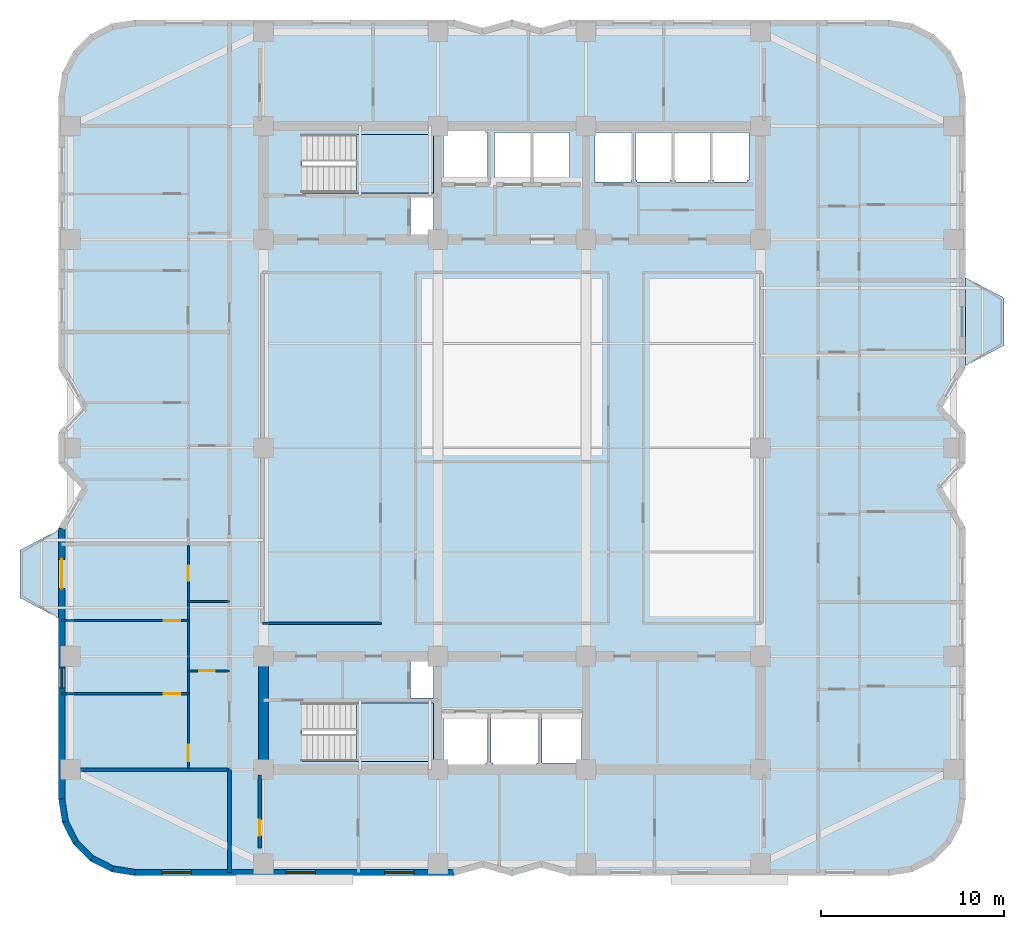
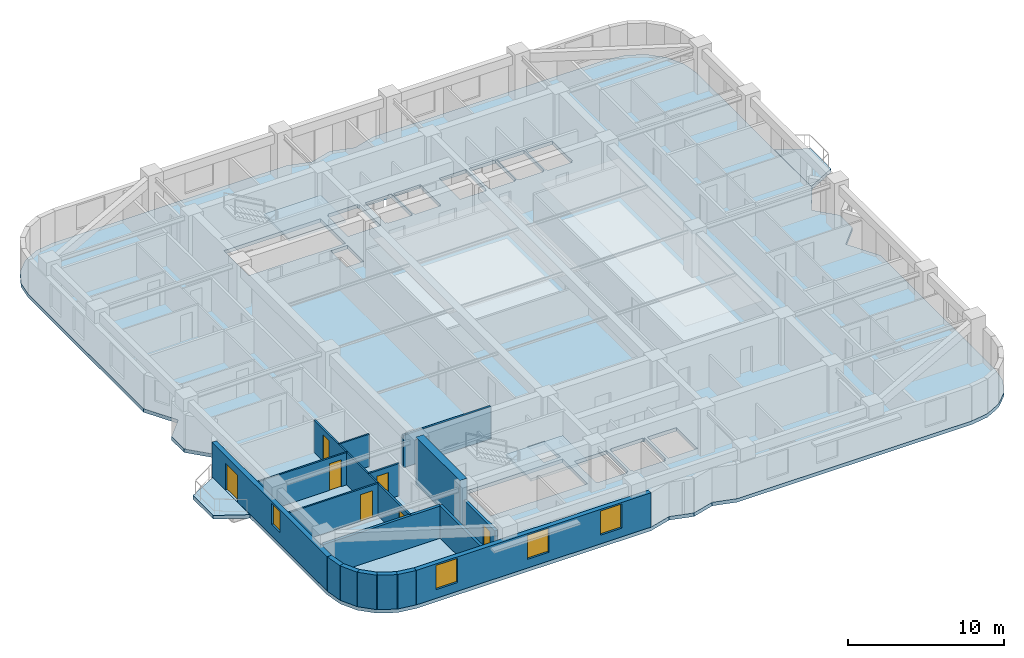
# One storey, part 2 of 11: 17 walls, 7 doors, 5 slabs, 4 windows, 11 openings, 2 elements without a shape of their own.
"""IFC4 building model written with IfcOpenShell, lengths in metres."""

from ifc_helpers import new_model, si_unit, direction, frame, frame_2d, origin, place, context, subcontext, project, spatial, polyline, rectangle, outline, extrude, material, layer, layer_set, type_object, element, fill, aggregate, save


model = new_model("IFC4")

# Units and contexts
model_context = context("Model", 3, precision=1e-05, world=origin(), true_north=direction((0.0, 1.0)))
body_context = subcontext(model_context, "Body", "Model", "MODEL_VIEW")
ifc_project = project(units=[si_unit("LENGTHUNIT", "METRE"), si_unit("AREAUNIT", "SQUARE_METRE"), si_unit("VOLUMEUNIT", "CUBIC_METRE"), si_unit("PLANEANGLEUNIT", "RADIAN"), si_unit("MASSUNIT", "GRAM", prefix="KILO")], contexts=[model_context])

# Site, building, storey
site_placement = place(None, origin())
site = spatial("IfcSite", under=ifc_project, at=site_placement, CompositionType="ELEMENT")
building_placement = place(site_placement, origin())
building = spatial("IfcBuilding", under=site, at=building_placement, Name="Svetorya Sky Lyceum", CompositionType="ELEMENT")
storey_placement = place(building_placement, frame((0.0, 0.0, 106.800048828125)))
storey = spatial("IfcBuildingStorey", under=building, at=storey_placement, Name="L26", CompositionType="ELEMENT", Elevation=106.800048828125)

# Slabs
ifc_material_1 = material(Name="Concrete C40/50", Category="concrete")
ifc_layer_1 = layer(ifc_material_1, 0.280029296875)
ifc_layer_set_1 = layer_set([ifc_layer_1], Name="Concrete C40/50")
slab_type_1 = type_object("IfcSlabType", Name="SL-BAL-280", PredefinedType="FLOOR", material=ifc_layer_set_1)
slab_1_placement = place(storey_placement, frame((0.0, 0.0, -0.280029296875)))
element("IfcSlab", 1, at=slab_1_placement, inside=storey, type_object=slab_type_1, Name="L26 Chamfered Loggia Balcony BAL-W1", PredefinedType="FLOOR", context=body_context, shape_type="SweptSolid", body=[
    extrude(outline(polyline([(14.389892578125, 18.89990234375), (14.389892578125, 23.699951171875), (12.2900390625, 22.60009765625), (12.2900390625, 20.0), (14.389892578125, 18.89990234375)])), origin(), (0.0, 0.0, 1.0), 0.280029296875),
])
slab_2_placement = place(storey_placement, frame((0.0, 0.0, -0.280029296875)))
element("IfcSlab", 2, at=slab_2_placement, inside=storey, type_object=slab_type_1, Name="L26 Chamfered Loggia Balcony BAL-E1", PredefinedType="FLOOR", context=body_context, shape_type="SweptSolid", body=[
    extrude(outline(polyline([(64.010009765625, 32.699951171875), (66.110107421875, 33.800048828125), (66.110107421875, 36.39990234375), (64.010009765625, 37.5), (64.010009765625, 32.699951171875)])), origin(), (0.0, 0.0, 1.0), 0.280029296875),
])

# Stair, slab
stair_type_1 = type_object("IfcStairType", Name="STR-ST-S", PredefinedType="HALF_TURN_STAIR", material=ifc_material_1)
stair_1_placement = place(storey_placement, origin())
stair_1 = element("IfcStair", 3, at=stair_1_placement, inside=storey, type_object=stair_type_1, Name="L26 South Core Smoke-Free Exit Stair N2", PredefinedType="HALF_TURN_STAIR")
ifc_layer_2 = layer(ifc_material_1, 0.199951171875)
ifc_layer_set_2 = layer_set([ifc_layer_2], Name="Concrete C40/50")
slab_type_2 = type_object("IfcSlabType", Name="SL-STR-LAND-200", PredefinedType="LANDING", material=ifc_layer_set_2)
slab_3_placement = place(storey_placement, frame((0.0, 0.0, 1.64990234375)))
slab_3 = element("IfcSlab", 4, at=slab_3_placement, type_object=slab_type_2, Name="ST-S landing 1", PredefinedType="LANDING", context=body_context, shape_type="SweptSolid", body=[
    extrude(outline(polyline([(30.699951171875, 11.050048828125), (34.89990234375, 11.050048828125), (34.89990234375, 14.25), (30.699951171875, 14.25), (30.699951171875, 11.050048828125)])), origin(), (0.0, 0.0, 1.0), 0.199951171875),
])
aggregate(stair_1, [slab_3])

stair_type_2 = type_object("IfcStairType", Name="STR-ST-N", PredefinedType="HALF_TURN_STAIR", material=ifc_material_1)
stair_2_placement = place(storey_placement, origin())
stair_2 = element("IfcStair", 5, at=stair_2_placement, inside=storey, type_object=stair_type_2, Name="L26 North Core Smoke-Free Exit Stair N3", PredefinedType="HALF_TURN_STAIR")
slab_4_placement = place(storey_placement, frame((0.0, 0.0, 1.64990234375)))
slab_4 = element("IfcSlab", 6, at=slab_4_placement, type_object=slab_type_2, Name="ST-N landing 1", PredefinedType="LANDING", context=body_context, shape_type="SweptSolid", body=[
    extrude(outline(polyline([(30.699951171875, 42.14990234375), (34.89990234375, 42.14990234375), (34.89990234375, 45.35009765625), (30.699951171875, 45.35009765625), (30.699951171875, 42.14990234375)])), origin(), (0.0, 0.0, 1.0), 0.199951171875),
])
aggregate(stair_2, [slab_4])

# Slab
ifc_material_2 = material(Name="Concrete C50/60", Category="concrete")
ifc_layer_3 = layer(ifc_material_2, 0.280029296875)
ifc_layer_set_3 = layer_set([ifc_layer_3], Name="Concrete C50/60")
slab_type_3 = type_object("IfcSlabType", Name="SL-TWR-280", PredefinedType="FLOOR", material=ifc_layer_set_3)
slab_5_placement = place(storey_placement, frame((0.0, 0.0, -0.280029296875)))
element("IfcSlab", 7, at=slab_5_placement, inside=storey, type_object=slab_type_3, Name="L26 Structural Floor Slab", PredefinedType="FLOOR", context=body_context, shape_type="SweptSolid", body=[
    extrude(outline(polyline([(14.39990234375, 9.0), (14.605712890625, 7.7021484375), (15.2021484375, 6.53125), (16.13134765625, 5.60205078125), (17.302001953125, 5.005615234375), (18.60009765625, 4.800048828125), (36.0, 4.800048828125), (37.60009765625, 5.25), (39.199951171875, 4.800048828125), (40.800048828125, 5.25), (42.39990234375, 4.800048828125), (59.800048828125, 4.800048828125), (61.097900390625, 5.005615234375), (62.268798828125, 5.60205078125), (63.197998046875, 6.53125), (63.79443359375, 7.7021484375), (64.0, 9.0), (64.0, 23.800048828125), (62.699951171875, 26.0), (64.0, 27.39990234375), (64.0, 29.0), (62.699951171875, 30.39990234375), (64.0, 32.60009765625), (64.0, 47.39990234375), (63.79443359375, 48.697998046875), (63.197998046875, 49.86865234375), (62.268798828125, 50.7978515625), (61.097900390625, 51.394287109375), (59.800048828125, 51.60009765625), (42.39990234375, 51.60009765625), (40.800048828125, 51.14990234375), (39.199951171875, 51.60009765625), (37.60009765625, 51.14990234375), (36.0, 51.60009765625), (18.60009765625, 51.60009765625), (17.302001953125, 51.394287109375), (16.13134765625, 50.7978515625), (15.2021484375, 49.86865234375), (14.605712890625, 48.697998046875), (14.39990234375, 47.39990234375), (14.39990234375, 32.60009765625), (15.699951171875, 30.39990234375), (14.39990234375, 29.0), (14.39990234375, 27.39990234375), (15.699951171875, 26.0), (14.39990234375, 23.800048828125), (14.39990234375, 9.0)]), holes=[polyline([(37.85009765625, 10.949951171875), (37.75, 10.949951171875), (37.75, 10.85009765625), (35.550048828125, 10.85009765625), (35.550048828125, 10.949951171875), (35.449951171875, 10.949951171875), (35.449951171875, 13.64990234375), (35.550048828125, 13.64990234375), (37.75, 13.64990234375), (37.85009765625, 13.64990234375), (37.85009765625, 10.949951171875)]), polyline([(40.64990234375, 13.64990234375), (40.64990234375, 10.949951171875), (40.550048828125, 10.949951171875), (40.550048828125, 10.800048828125), (38.14990234375, 10.800048828125), (38.14990234375, 10.949951171875), (38.050048828125, 10.949951171875), (38.050048828125, 13.64990234375), (38.14990234375, 13.64990234375), (38.14990234375, 13.699951171875), (40.550048828125, 13.699951171875), (40.550048828125, 13.64990234375), (40.64990234375, 13.64990234375)]), polyline([(27.719970703125, 14.25), (34.89990234375, 14.25), (34.89990234375, 11.050048828125), (27.719970703125, 11.050048828125), (27.719970703125, 14.25)]), polyline([(33.64990234375, 14.52001953125), (33.64990234375, 16.580078125), (34.89990234375, 16.580078125), (34.89990234375, 14.52001953125), (33.64990234375, 14.52001953125)]), polyline([(33.64990234375, 41.89990234375), (34.89990234375, 41.89990234375), (34.89990234375, 39.820068359375), (33.64990234375, 39.820068359375), (33.64990234375, 41.89990234375)]), polyline([(27.719970703125, 45.35009765625), (34.89990234375, 45.35009765625), (34.89990234375, 42.14990234375), (27.719970703125, 42.14990234375), (27.719970703125, 45.35009765625)]), polyline([(37.75, 45.550048828125), (37.75, 45.449951171875), (37.85009765625, 45.449951171875), (37.85009765625, 42.75), (37.75, 42.75), (35.550048828125, 42.75), (35.449951171875, 42.75), (35.449951171875, 45.449951171875), (35.550048828125, 45.449951171875), (35.550048828125, 45.550048828125), (37.75, 45.550048828125)]), polyline([(38.39990234375, 42.85009765625), (38.25, 42.85009765625), (38.25, 45.449951171875), (38.39990234375, 45.449951171875), (40.199951171875, 45.449951171875), (40.25, 45.449951171875), (40.25, 42.85009765625), (40.199951171875, 42.85009765625), (40.199951171875, 42.75), (38.39990234375, 42.75), (38.39990234375, 42.85009765625)]), polyline([(40.85009765625, 13.64990234375), (43.0, 13.64990234375), (43.0, 10.949951171875), (40.85009765625, 10.949951171875), (40.85009765625, 13.64990234375)]), polyline([(40.39990234375, 42.85009765625), (40.35009765625, 42.85009765625), (40.35009765625, 45.449951171875), (40.39990234375, 45.449951171875), (42.300048828125, 45.449951171875), (42.35009765625, 45.449951171875), (42.35009765625, 42.85009765625), (42.300048828125, 42.85009765625), (42.300048828125, 42.75), (40.39990234375, 42.75), (40.39990234375, 42.85009765625)]), polyline([(43.75, 42.75), (43.75, 42.85009765625), (43.75, 45.449951171875), (45.699951171875, 45.449951171875), (45.75, 45.449951171875), (45.75, 42.85009765625), (45.699951171875, 42.85009765625), (45.699951171875, 42.75), (43.75, 42.75)]), polyline([(46.050048828125, 42.85009765625), (45.949951171875, 42.85009765625), (45.949951171875, 45.449951171875), (46.050048828125, 45.449951171875), (47.85009765625, 45.449951171875), (47.949951171875, 45.449951171875), (47.949951171875, 42.85009765625), (47.85009765625, 42.85009765625), (47.85009765625, 42.75), (46.050048828125, 42.75), (46.050048828125, 42.85009765625)]), polyline([(48.14990234375, 42.85009765625), (48.050048828125, 42.85009765625), (48.050048828125, 45.449951171875), (48.14990234375, 45.449951171875), (49.949951171875, 45.449951171875), (50.050048828125, 45.449951171875), (50.050048828125, 42.85009765625), (49.949951171875, 42.85009765625), (49.949951171875, 42.75), (48.14990234375, 42.75), (48.14990234375, 42.85009765625)]), polyline([(52.14990234375, 42.85009765625), (52.050048828125, 42.85009765625), (52.050048828125, 42.75), (50.25, 42.75), (50.25, 42.85009765625), (50.14990234375, 42.85009765625), (50.14990234375, 45.449951171875), (50.25, 45.449951171875), (52.050048828125, 45.449951171875), (52.14990234375, 45.449951171875), (52.14990234375, 42.85009765625)])]), origin(), (0.0, 0.0, 1.0), 0.280029296875),
])

# Walls
ifc_material_3 = material(Name="Concrete C60/75", Category="concrete")
ifc_layer_4 = layer(ifc_material_3, 0.550048828125)
ifc_layer_set_4 = layer_set([ifc_layer_4], Name="Concrete C60/75")
wall_type_1 = type_object("IfcWallType", Name="WL-CORE-550", PredefinedType="SHEAR", material=ifc_layer_set_4)
wall_1_placement = place(storey_placement, frame((25.60009765625, 10.875, 0.0), z_axis=(0.0, 0.0, 1.0), x_axis=(0.0, 1.0, 0.0)))
element("IfcWall", 8, at=wall_1_placement, inside=storey, type_object=wall_type_1, Name="L26 SC West Core Shear Wall", PredefinedType="SHEAR", context=body_context, shape_type="SweptSolid", body=[
    extrude(rectangle(XDim=5.64990234375, YDim=0.550048828125, at=frame_2d((2.824951171875, 0.0))), origin(), (0.0, 0.0, 1.0), 3.699951171875),
])
ifc_material_4 = material(Name="Putilovo limestone rainscreen on autoclaved cellular masonry", Category="masonry")
ifc_layer_5 = layer(ifc_material_4, 0.340087890625)
ifc_layer_set_5 = layer_set([ifc_layer_5], Name="Putilovo limestone rainscreen on autoclaved cellular masonry")
wall_type_2 = type_object("IfcWallType", Name="WL-EXT-340", PredefinedType="SOLIDWALL", material=ifc_layer_set_5)
wall_2_placement = place(storey_placement, frame((14.570068359375, 9.0, 0.0), z_axis=(0.0, 0.0, 1.0), x_axis=(0.156260864002, -0.98771582066, 0.0)))
element("IfcWall", 9, at=wall_2_placement, inside=storey, type_object=wall_type_2, Name="L26 Limestone Exterior Wall 1M", PredefinedType="SOLIDWALL", context=body_context, shape_type="SweptSolid", body=[
    extrude(rectangle(XDim=1.2607421875, YDim=0.340087890625, at=frame_2d((0.63037109375, 0.0))), origin(), (0.0, 0.0, 1.0), 2.699951171875),
])
wall_3_placement = place(storey_placement, frame((14.76708984375, 7.754638671875, 0.0), z_axis=(0.0, 0.0, 1.0), x_axis=(0.454015689056, -0.890993689142, 0.0)))
element("IfcWall", 10, at=wall_3_placement, inside=storey, type_object=wall_type_2, Name="L26 Limestone Exterior Wall 2M", PredefinedType="SOLIDWALL", context=body_context, shape_type="SweptSolid", body=[
    extrude(rectangle(XDim=1.260986328125, YDim=0.340087890625, at=frame_2d((0.63037109375, 0.0))), origin(), (0.0, 0.0, 1.0), 2.699951171875),
])
wall_4_placement = place(storey_placement, frame((15.339599609375, 6.631103515625, 0.0), z_axis=(0.0, 0.0, 1.0), x_axis=(0.707203598708, -0.707009950407, 0.0)))
element("IfcWall", 11, at=wall_4_placement, inside=storey, type_object=wall_type_2, Name="L26 Limestone Exterior Wall 3M", PredefinedType="SOLIDWALL", context=body_context, shape_type="SweptSolid", body=[
    extrude(rectangle(XDim=1.2607421875, YDim=0.340087890625, at=frame_2d((0.63037109375, 0.0))), origin(), (0.0, 0.0, 1.0), 2.699951171875),
])
for number, where, z_axis, x_axis, name in (
    (12, (16.231201171875, 5.73974609375, 0.0), (0.0, 0.0, 1.0), (0.890993689142, -0.454015689056, 0.0), "L26 Limestone Exterior Wall 4M"),
    (13, (17.354736328125, 5.167236328125, 0.0), (0.0, 0.0, 1.0), (0.987685918112, -0.15644975923, 0.0), "L26 Limestone Exterior Wall 5M"),
):
    element("IfcWall", number, at=place(storey_placement, frame(where, z_axis=z_axis, x_axis=x_axis)), inside=storey, type_object=wall_type_2, Name=name, PredefinedType="SOLIDWALL", context=body_context, shape_type="SweptSolid", body=[
        extrude(rectangle(XDim=1.260986328125, YDim=0.340087890625, at=frame_2d((0.63037109375, 0.0))), origin(), (0.0, 0.0, 1.0), 2.699951171875),
    ])

# Wall, openings, windows
wall_5_placement = place(storey_placement, frame((18.60009765625, 4.969970703125, 0.0), z_axis=(0.0, 0.0, 1.0), x_axis=(1.0, 0.0, 0.0)))
wall_5 = element("IfcWall", 14, at=wall_5_placement, inside=storey, type_object=wall_type_2, Name="L26 Limestone Exterior Wall 6M", PredefinedType="SOLIDWALL", context=body_context, shape_type="SweptSolid", body=[
    extrude(rectangle(XDim=17.39990234375, YDim=0.340087890625, at=frame_2d((8.699951171875, 0.0))), origin(), (0.0, 0.0, 1.0), 2.699951171875),
])
opening_1_placement = place(wall_5_placement, frame((1.4599609375, 0.0, 0.679931640625)))
opening_1 = element("IfcOpeningElement", 15, at=opening_1_placement, cuts=wall_5, Name="Opening W-R4", PredefinedType="OPENING", context=body_context, shape_type="SweptSolid", body=[
    extrude(rectangle(XDim=1.60009765625, YDim=1.89990234375, at=frame_2d((0.800048828125, 0.949951171875))), frame((0.0, 0.179931640625, 0.0), z_axis=(0.0, -1.0, 0.0), x_axis=(1.0, 0.0, 0.0)), (0.0, 0.0, 1.0), 0.360107421875),
])
opening_2_placement = place(wall_5_placement, frame((8.25, 0.0, 0.679931640625)))
opening_2 = element("IfcOpeningElement", 16, at=opening_2_placement, cuts=wall_5, Name="Opening W-R4", PredefinedType="OPENING", context=body_context, shape_type="SweptSolid", body=[
    extrude(rectangle(XDim=1.60009765625, YDim=1.89990234375, at=frame_2d((0.800048828125, 0.949951171875))), frame((0.0, 0.179931640625, 0.0), z_axis=(0.0, -1.0, 0.0), x_axis=(1.0, 0.0, 0.0)), (0.0, 0.0, 1.0), 0.360107421875),
])
opening_3_placement = place(wall_5_placement, frame((13.639892578125, 0.0, 0.679931640625)))
opening_3 = element("IfcOpeningElement", 17, at=opening_3_placement, cuts=wall_5, Name="Opening W-R4", PredefinedType="OPENING", context=body_context, shape_type="SweptSolid", body=[
    extrude(rectangle(XDim=1.60009765625, YDim=1.89990234375, at=frame_2d((0.800048828125, 0.949951171875))), frame((0.0, 0.179931640625, 0.0), z_axis=(0.0, -1.0, 0.0), x_axis=(1.0, 0.0, 0.0)), (0.0, 0.0, 1.0), 0.360107421875),
])
ifc_material_5 = material(Name="Thermally broken aluminium frame with triple low-E glazing", Category="aluminium")
window_type_1 = type_object("IfcWindowType", Name="WN-RES-160", PartitioningType="DOUBLE_PANEL_VERTICAL", PredefinedType="WINDOW", material=ifc_material_5)
window_1_placement = place(opening_1_placement, origin())
window_1 = element("IfcWindow", 18, at=window_1_placement, inside=storey, type_object=window_type_1, Name="L26 Facade Window W-R4.6M.1", OverallHeight=1.89990234375, OverallWidth=1.60009765625, PartitioningType="SINGLE_PANEL", PredefinedType="WINDOW", context=body_context, shape_type="SweptSolid", body=[
    extrude(rectangle(XDim=1.60009765625, YDim=1.89990234375, at=frame_2d((0.800048828125, 0.949951171875))), frame((0.0, 0.030029296875, 0.0), z_axis=(0.0, -1.0, 0.0), x_axis=(1.0, 0.0, 0.0)), (0.0, 0.0, 1.0), 0.06005859375),
])
fill(opening_1, window_1)
window_2_placement = place(opening_2_placement, origin())
window_2 = element("IfcWindow", 19, at=window_2_placement, inside=storey, type_object=window_type_1, Name="L26 Facade Window W-R4.6M.2", OverallHeight=1.89990234375, OverallWidth=1.60009765625, PartitioningType="SINGLE_PANEL", PredefinedType="WINDOW", context=body_context, shape_type="SweptSolid", body=[
    extrude(rectangle(XDim=1.60009765625, YDim=1.89990234375, at=frame_2d((0.800048828125, 0.949951171875))), frame((0.0, 0.030029296875, 0.0), z_axis=(0.0, -1.0, 0.0), x_axis=(1.0, 0.0, 0.0)), (0.0, 0.0, 1.0), 0.06005859375),
])
fill(opening_2, window_2)
window_3_placement = place(opening_3_placement, origin())
window_3 = element("IfcWindow", 20, at=window_3_placement, inside=storey, type_object=window_type_1, Name="L26 Facade Window W-R4.6M.3", OverallHeight=1.89990234375, OverallWidth=1.60009765625, PartitioningType="SINGLE_PANEL", PredefinedType="WINDOW", context=body_context, shape_type="SweptSolid", body=[
    extrude(rectangle(XDim=1.60009765625, YDim=1.89990234375, at=frame_2d((0.800048828125, 0.949951171875))), frame((0.0, 0.030029296875, 0.0), z_axis=(0.0, -1.0, 0.0), x_axis=(1.0, 0.0, 0.0)), (0.0, 0.0, 1.0), 0.06005859375),
])
fill(opening_3, window_3)

# Wall, openings, door, window
wall_6_placement = place(storey_placement, frame((14.570068359375, 23.800048828125, 0.0), z_axis=(0.0, 0.0, 1.0), x_axis=(0.0, -1.0, 0.0)))
wall_6 = element("IfcWall", 21, at=wall_6_placement, inside=storey, type_object=wall_type_2, Name="L26 Limestone Exterior Wall 46M", PredefinedType="SOLIDWALL", context=body_context, shape_type="SweptSolid", body=[
    extrude(rectangle(XDim=14.800048828125, YDim=0.340087890625, at=frame_2d((7.39990234375, 0.0))), origin(), (0.0, 0.0, 1.0), 2.699951171875),
])
opening_4_placement = place(wall_6_placement, frame((1.699951171875, 0.0, 0.0)))
opening_4 = element("IfcOpeningElement", 22, at=opening_4_placement, cuts=wall_6, Name="Opening D-BL1", PredefinedType="OPENING", context=body_context, shape_type="SweptSolid", body=[
    extrude(rectangle(XDim=1.60009765625, YDim=2.10009765625, at=frame_2d((0.800048828125, 1.050048828125))), frame((0.0, 0.179931640625, 0.0), z_axis=(0.0, -1.0, 0.0), x_axis=(1.0, 0.0, 0.0)), (0.0, 0.0, 1.0), 0.360107421875),
])
opening_5_placement = place(wall_6_placement, frame((7.639892578125, 0.0, 0.889892578125)))
opening_5 = element("IfcOpeningElement", 23, at=opening_5_placement, cuts=wall_6, Name="Opening W-R3", PredefinedType="OPENING", context=body_context, shape_type="SweptSolid", body=[
    extrude(rectangle(XDim=1.10009765625, YDim=1.64990234375, at=frame_2d((0.550048828125, 0.824951171875))), frame((0.0, 0.179931640625, 0.0), z_axis=(0.0, -1.0, 0.0), x_axis=(1.0, 0.0, 0.0)), (0.0, 0.0, 1.0), 0.360107421875),
])
ifc_material_6 = material(Name="Insulated glazed aluminium balcony door", Category="aluminium")
door_type_1 = type_object("IfcDoorType", Name="DR-BAL-1600", OperationType="DOUBLE_DOOR_SINGLE_SWING", PredefinedType="DOOR", material=ifc_material_6)
door_1_placement = place(opening_4_placement, origin())
door_1 = element("IfcDoor", 24, at=door_1_placement, inside=storey, type_object=door_type_1, Name="L26 Balcony BAL-W1 Door", OperationType="DOUBLE_DOOR_SINGLE_SWING", OverallHeight=2.10009765625, OverallWidth=1.60009765625, PredefinedType="DOOR", context=body_context, shape_type="SweptSolid", body=[
    extrude(rectangle(XDim=1.60009765625, YDim=2.10009765625, at=frame_2d((0.800048828125, 1.050048828125))), frame((0.0, 0.02490234375, 0.0), z_axis=(0.0, -1.0, 0.0), x_axis=(1.0, 0.0, 0.0)), (0.0, 0.0, 1.0), 0.050048828125),
])
fill(opening_4, door_1)
window_type_2 = type_object("IfcWindowType", Name="WN-RES-110", PartitioningType="SINGLE_PANEL", PredefinedType="WINDOW", material=ifc_material_5)
window_4_placement = place(opening_5_placement, origin())
window_4 = element("IfcWindow", 25, at=window_4_placement, inside=storey, type_object=window_type_2, Name="L26 Facade Window W-R3.46M.1", OverallHeight=1.64990234375, OverallWidth=1.10009765625, PartitioningType="SINGLE_PANEL", PredefinedType="WINDOW", context=body_context, shape_type="SweptSolid", body=[
    extrude(rectangle(XDim=1.10009765625, YDim=1.64990234375, at=frame_2d((0.550048828125, 0.824951171875))), frame((0.0, 0.030029296875, 0.0), z_axis=(0.0, -1.0, 0.0), x_axis=(1.0, 0.0, 0.0)), (0.0, 0.0, 1.0), 0.06005859375),
])
fill(opening_5, window_4)

# Wall, opening, door
ifc_material_7 = material(Name="Twin-stud galvanized framing with double fireboard", Category="gypsum")
ifc_layer_6 = layer(ifc_material_7, 0.1201171875)
ifc_layer_set_6 = layer_set([ifc_layer_6], Name="Twin-stud galvanized framing with double fireboard")
wall_type_3 = type_object("IfcWallType", Name="WL-PART-120", PredefinedType="PARTITIONING", material=ifc_layer_set_6)
wall_7_placement = place(storey_placement, frame((21.5, 16.0, 0.0), z_axis=(0.0, 0.0, 1.0), x_axis=(1.0, 0.0, 0.0)))
wall_7 = element("IfcWall", 26, at=wall_7_placement, inside=storey, type_object=wall_type_3, Name="L26 Interior Partition W1-WH1", PredefinedType="PARTITIONING", context=body_context, shape_type="SweptSolid", body=[
    extrude(rectangle(XDim=2.25, YDim=0.1201171875, at=frame_2d((1.125, 0.0))), origin(), (0.0, 0.0, 1.0), 2.530029296875),
])
opening_6_placement = place(wall_7_placement, frame((0.60009765625, 0.0, 0.0)))
opening_6 = element("IfcOpeningElement", 27, at=opening_6_placement, cuts=wall_7, Name="Opening D-BT1", PredefinedType="OPENING", context=body_context, shape_type="SweptSolid", body=[
    extrude(rectangle(XDim=0.85009765625, YDim=2.10009765625, at=frame_2d((0.425048828125, 1.050048828125))), frame((0.0, 0.070068359375, 0.0), z_axis=(0.0, -1.0, 0.0), x_axis=(1.0, 0.0, 0.0)), (0.0, 0.0, 1.0), 0.14013671875),
])
ifc_material_8 = material(Name="Moisture-resistant laminate bathroom door")
door_type_2 = type_object("IfcDoorType", Name="DR-WET-850", OperationType="SINGLE_SWING_LEFT", PredefinedType="DOOR", material=ifc_material_8)
door_2_placement = place(opening_6_placement, origin())
door_2 = element("IfcDoor", 28, at=door_2_placement, inside=storey, type_object=door_type_2, Name="Apartment W1 Bathroom Door", OperationType="SINGLE_SWING_LEFT", OverallHeight=2.10009765625, OverallWidth=0.85009765625, PredefinedType="DOOR", context=body_context, shape_type="SweptSolid", body=[
    extrude(rectangle(XDim=0.85009765625, YDim=2.10009765625, at=frame_2d((0.425048828125, 1.050048828125))), frame((0.0, 0.02490234375, 0.0), z_axis=(0.0, -1.0, 0.0), x_axis=(1.0, 0.0, 0.0)), (0.0, 0.0, 1.0), 0.050048828125),
])
fill(opening_6, door_2)

# Wall
wall_8_placement = place(storey_placement, frame((21.5, 19.800048828125, 0.0), z_axis=(0.0, 0.0, 1.0), x_axis=(1.0, 0.0, 0.0)))
element("IfcWall", 29, at=wall_8_placement, inside=storey, type_object=wall_type_3, Name="L26 Interior Partition W1-WH2", PredefinedType="PARTITIONING", context=body_context, shape_type="SweptSolid", body=[
    extrude(rectangle(XDim=2.25, YDim=0.1201171875, at=frame_2d((1.125, 0.0))), origin(), (0.0, 0.0, 1.0), 2.530029296875),
])

# Wall, opening, door
wall_9_placement = place(storey_placement, frame((14.570068359375, 14.75, 0.0), z_axis=(0.0, 0.0, 1.0), x_axis=(1.0, 0.0, 0.0)))
wall_9 = element("IfcWall", 30, at=wall_9_placement, inside=storey, type_object=wall_type_3, Name="L26 Interior Partition W1-WL1", PredefinedType="PARTITIONING", context=body_context, shape_type="SweptSolid", body=[
    extrude(rectangle(XDim=6.929931640625, YDim=0.1201171875, at=frame_2d((3.46484375, 0.0))), origin(), (0.0, 0.0, 1.0), 2.530029296875),
])
opening_7_placement = place(wall_9_placement, frame((5.580078125, 0.0, 0.0)))
opening_7 = element("IfcOpeningElement", 31, at=opening_7_placement, cuts=wall_9, Name="Opening D-RM1", PredefinedType="OPENING", context=body_context, shape_type="SweptSolid", body=[
    extrude(rectangle(XDim=0.89990234375, YDim=2.10009765625, at=frame_2d((0.449951171875, 1.050048828125))), frame((0.0, 0.070068359375, 0.0), z_axis=(0.0, -1.0, 0.0), x_axis=(1.0, 0.0, 0.0)), (0.0, 0.0, 1.0), 0.14013671875),
])
ifc_material_9 = material(Name="Lacquered birch veneer internal door")
door_type_3 = type_object("IfcDoorType", Name="DR-INT-900", OperationType="SINGLE_SWING_LEFT", PredefinedType="DOOR", material=ifc_material_9)
door_3_placement = place(opening_7_placement, origin())
door_3 = element("IfcDoor", 32, at=door_3_placement, inside=storey, type_object=door_type_3, Name="Apartment W1 Master Bedroom Door", OperationType="SINGLE_SWING_LEFT", OverallHeight=2.10009765625, OverallWidth=0.89990234375, PredefinedType="DOOR", context=body_context, shape_type="SweptSolid", body=[
    extrude(rectangle(XDim=0.89990234375, YDim=2.10009765625, at=frame_2d((0.449951171875, 1.050048828125))), frame((0.0, 0.02490234375, 0.0), z_axis=(0.0, -1.0, 0.0), x_axis=(1.0, 0.0, 0.0)), (0.0, 0.0, 1.0), 0.050048828125),
])
fill(opening_7, door_3)

wall_10_placement = place(storey_placement, frame((14.570068359375, 18.75, 0.0), z_axis=(0.0, 0.0, 1.0), x_axis=(1.0, 0.0, 0.0)))
wall_10 = element("IfcWall", 33, at=wall_10_placement, inside=storey, type_object=wall_type_3, Name="L26 Interior Partition W1-WL2", PredefinedType="PARTITIONING", context=body_context, shape_type="SweptSolid", body=[
    extrude(rectangle(XDim=6.929931640625, YDim=0.1201171875, at=frame_2d((3.46484375, 0.0))), origin(), (0.0, 0.0, 1.0), 2.530029296875),
])
opening_8_placement = place(wall_10_placement, frame((5.580078125, 0.0, 0.0)))
opening_8 = element("IfcOpeningElement", 34, at=opening_8_placement, cuts=wall_10, Name="Opening D-RM1", PredefinedType="OPENING", context=body_context, shape_type="SweptSolid", body=[
    extrude(rectangle(XDim=0.89990234375, YDim=2.10009765625, at=frame_2d((0.449951171875, 1.050048828125))), frame((0.0, 0.070068359375, 0.0), z_axis=(0.0, -1.0, 0.0), x_axis=(1.0, 0.0, 0.0)), (0.0, 0.0, 1.0), 0.14013671875),
])
door_4_placement = place(opening_8_placement, origin())
door_4 = element("IfcDoor", 35, at=door_4_placement, inside=storey, type_object=door_type_3, Name="Apartment W1 Bedroom 2 Door", OperationType="SINGLE_SWING_RIGHT", OverallHeight=2.10009765625, OverallWidth=0.89990234375, PredefinedType="DOOR", context=body_context, shape_type="SweptSolid", body=[
    extrude(rectangle(XDim=0.89990234375, YDim=2.10009765625, at=frame_2d((0.449951171875, 1.050048828125))), frame((0.0, 0.02490234375, 0.0), z_axis=(0.0, -1.0, 0.0), x_axis=(1.0, 0.0, 0.0)), (0.0, 0.0, 1.0), 0.050048828125),
])
fill(opening_8, door_4)

# Wall, openings, doors
wall_11_placement = place(storey_placement, frame((21.5, 10.639892578125, 0.0), z_axis=(0.0, 0.0, 1.0), x_axis=(0.0, 1.0, 0.0)))
wall_11 = element("IfcWall", 36, at=wall_11_placement, inside=storey, type_object=wall_type_3, Name="L26 Interior Partition W1-WV", PredefinedType="PARTITIONING", context=body_context, shape_type="SweptSolid", body=[
    extrude(rectangle(XDim=12.239990234375, YDim=0.1201171875, at=frame_2d((6.1201171875, 0.0))), origin(), (0.0, 0.0, 1.0), 2.530029296875),
])
opening_9_placement = place(wall_11_placement, frame((0.409912109375, 0.0, 0.0)))
opening_9 = element("IfcOpeningElement", 37, at=opening_9_placement, cuts=wall_11, Name="Opening D-RM1", PredefinedType="OPENING", context=body_context, shape_type="SweptSolid", body=[
    extrude(rectangle(XDim=0.89990234375, YDim=2.10009765625, at=frame_2d((0.449951171875, 1.050048828125))), frame((0.0, 0.070068359375, 0.0), z_axis=(0.0, -1.0, 0.0), x_axis=(1.0, 0.0, 0.0)), (0.0, 0.0, 1.0), 0.14013671875),
])
opening_10_placement = place(wall_11_placement, frame((10.294921875, 0.0, 0.0)))
opening_10 = element("IfcOpeningElement", 38, at=opening_10_placement, cuts=wall_11, Name="Opening D-BT2", PredefinedType="OPENING", context=body_context, shape_type="SweptSolid", body=[
    extrude(rectangle(XDim=0.820068359375, YDim=2.080078125, at=frame_2d((0.41015625, 1.0400390625))), frame((0.0, 0.070068359375, 0.0), z_axis=(0.0, -1.0, 0.0), x_axis=(1.0, 0.0, 0.0)), (0.0, 0.0, 1.0), 0.14013671875),
])
door_5_placement = place(opening_9_placement, origin())
door_5 = element("IfcDoor", 39, at=door_5_placement, inside=storey, type_object=door_type_3, Name="Apartment W1 Living Door", OperationType="SINGLE_SWING_RIGHT", OverallHeight=2.10009765625, OverallWidth=0.89990234375, PredefinedType="DOOR", context=body_context, shape_type="SweptSolid", body=[
    extrude(rectangle(XDim=0.89990234375, YDim=2.10009765625, at=frame_2d((0.449951171875, 1.050048828125))), frame((0.0, 0.02490234375, 0.0), z_axis=(0.0, -1.0, 0.0), x_axis=(1.0, 0.0, 0.0)), (0.0, 0.0, 1.0), 0.050048828125),
])
fill(opening_9, door_5)
ifc_material_10 = material(Name="Compact moisture-resistant laminate closet door")
door_type_4 = type_object("IfcDoorType", Name="DR-WET-820", OperationType="SINGLE_SWING_LEFT", PredefinedType="DOOR", material=ifc_material_10)
door_6_placement = place(opening_10_placement, origin())
door_6 = element("IfcDoor", 40, at=door_6_placement, inside=storey, type_object=door_type_4, Name="Apartment W1 Study Door", OperationType="SINGLE_SWING_LEFT", OverallHeight=2.080078125, OverallWidth=0.820068359375, PredefinedType="DOOR", context=body_context, shape_type="SweptSolid", body=[
    extrude(rectangle(XDim=0.820068359375, YDim=2.080078125, at=frame_2d((0.41015625, 1.0400390625))), frame((0.0, 0.02490234375, 0.0), z_axis=(0.0, -1.0, 0.0), x_axis=(1.0, 0.0, 0.0)), (0.0, 0.0, 1.0), 0.050048828125),
])
fill(opening_10, door_6)

# Walls
ifc_material_11 = material(Name="Autoclaved cellular masonry blockwork with acoustic render", Category="masonry")
ifc_layer_7 = layer(ifc_material_11, 0.14990234375)
ifc_layer_set_7 = layer_set([ifc_layer_7], Name="Autoclaved cellular masonry blockwork with acoustic render")
wall_type_4 = type_object("IfcWallType", Name="WL-PART-150", PredefinedType="PARTITIONING", material=ifc_layer_set_7)
wall_12_placement = place(storey_placement, frame((25.550048828125, 18.60009765625, 0.0), z_axis=(0.0, 0.0, 1.0), x_axis=(1.0, 0.0, 0.0)))
element("IfcWall", 41, at=wall_12_placement, inside=storey, type_object=wall_type_4, Name="L26 Interior Partition RL-CS-W", PredefinedType="PARTITIONING", context=body_context, shape_type="SweptSolid", body=[
    extrude(rectangle(XDim=6.5, YDim=0.14990234375, at=frame_2d((3.25, 0.0))), origin(), (0.0, 0.0, 1.0), 2.530029296875),
])
ifc_material_12 = material(Name="Autoclaved cellular masonry blockwork with gypsum plaster", Category="masonry")
ifc_layer_8 = layer(ifc_material_12, 0.199951171875)
ifc_layer_set_8 = layer_set([ifc_layer_8], Name="Autoclaved cellular masonry blockwork with gypsum plaster")
wall_type_5 = type_object("IfcWallType", Name="WL-PART-200", PredefinedType="PARTITIONING", material=ifc_layer_set_8)
wall_13_placement = place(storey_placement, frame((14.989990234375, 10.60009765625, 0.0), z_axis=(0.0, 0.0, 1.0), x_axis=(1.0, 0.0, 0.0)))
element("IfcWall", 42, at=wall_13_placement, inside=storey, type_object=wall_type_5, Name="L26 Interior Partition W-CAP-S", PredefinedType="PARTITIONING", context=body_context, shape_type="SweptSolid", body=[
    extrude(rectangle(XDim=8.760009765625, YDim=0.199951171875, at=frame_2d((4.3798828125, 0.0))), origin(), (0.0, 0.0, 1.0), 2.530029296875),
])
wall_14_placement = place(storey_placement, frame((23.75, 4.969970703125, 0.0), z_axis=(0.0, 0.0, 1.0), x_axis=(0.0, 1.0, 0.0)))
element("IfcWall", 43, at=wall_14_placement, inside=storey, type_object=wall_type_5, Name="L26 Interior Partition WC-SW-END", PredefinedType="PARTITIONING", context=body_context, shape_type="SweptSolid", body=[
    extrude(rectangle(XDim=5.630126953125, YDim=0.199951171875, at=frame_2d((2.81494140625, 0.0))), origin(), (0.0, 0.0, 1.0), 2.530029296875),
])

# Wall, opening, door
wall_15_placement = place(storey_placement, frame((25.39990234375, 6.320068359375, 0.0), z_axis=(0.0, 0.0, 1.0), x_axis=(0.0, 1.0, 0.0)))
wall_15 = element("IfcWall", 44, at=wall_15_placement, inside=storey, type_object=wall_type_5, Name="L26 Interior Partition S4-EW", PredefinedType="PARTITIONING", context=body_context, shape_type="SweptSolid", body=[
    extrude(rectangle(XDim=3.97998046875, YDim=0.199951171875, at=frame_2d((1.989990234375, 0.0))), origin(), (0.0, 0.0, 1.0), 2.530029296875),
])
opening_11_placement = place(wall_15_placement, frame((0.64990234375, 0.0, 0.0)))
opening_11 = element("IfcOpeningElement", 45, at=opening_11_placement, cuts=wall_15, Name="Opening D-RM1", PredefinedType="OPENING", context=body_context, shape_type="SweptSolid", body=[
    extrude(rectangle(XDim=0.89990234375, YDim=2.10009765625, at=frame_2d((0.449951171875, 1.050048828125))), frame((0.0, 0.10986328125, 0.0), z_axis=(0.0, -1.0, 0.0), x_axis=(1.0, 0.0, 0.0)), (0.0, 0.0, 1.0), 0.219970703125),
])
door_7_placement = place(opening_11_placement, origin())
door_7 = element("IfcDoor", 46, at=door_7_placement, inside=storey, type_object=door_type_3, Name="L26 SW Office Door", OperationType="SINGLE_SWING_LEFT", OverallHeight=2.10009765625, OverallWidth=0.89990234375, PredefinedType="DOOR", context=body_context, shape_type="SweptSolid", body=[
    extrude(rectangle(XDim=0.89990234375, YDim=2.10009765625, at=frame_2d((0.449951171875, 1.050048828125))), frame((0.0, 0.02490234375, 0.0), z_axis=(0.0, -1.0, 0.0), x_axis=(1.0, 0.0, 0.0)), (0.0, 0.0, 1.0), 0.050048828125),
])
fill(opening_11, door_7)

save(model, "model.ifc")
